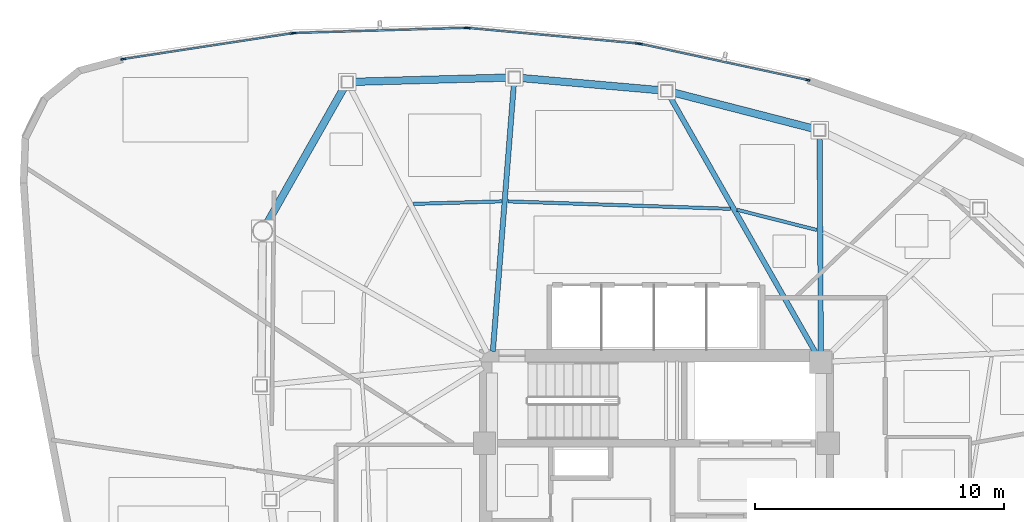
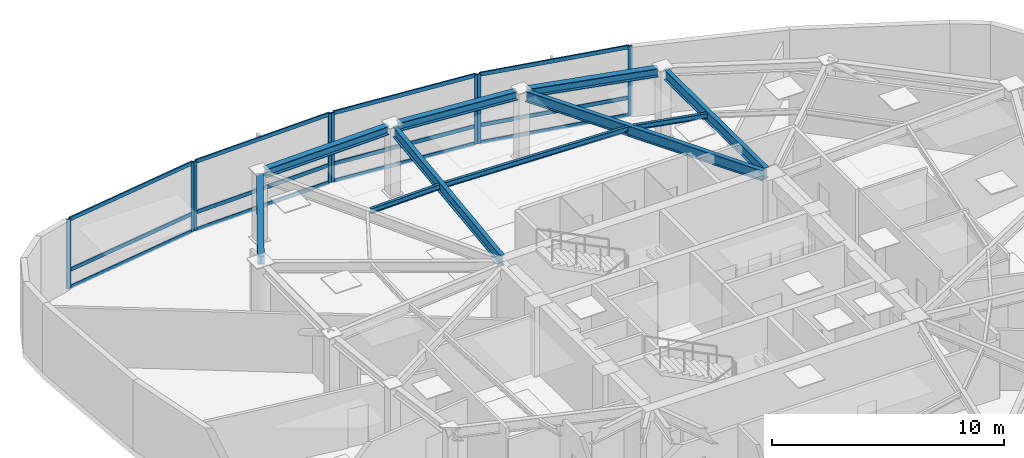
# One storey, part 6 of 14: 20 members, 10 beams, 4 elements without a shape of their own.
"""IFC4 building model written with IfcOpenShell, lengths in metres."""

from ifc_helpers import new_model, si_unit, direction, frame, origin, origin_2d, place, context, subcontext, project, spatial, hollow_rectangle, i_section, extrude, source, transform, mapped, material, layer, layer_set, material_profile, profile_set, type_object, type_shapes, element, aggregate, save


model = new_model("IFC4")

# Units and contexts
model_context = context("Model", 3, precision=1e-05, world=origin(), true_north=direction((0.0, 1.0)))
body_context = subcontext(model_context, "Body", "Model", "MODEL_VIEW")
ifc_project = project(units=[si_unit("LENGTHUNIT", "METRE"), si_unit("AREAUNIT", "SQUARE_METRE"), si_unit("VOLUMEUNIT", "CUBIC_METRE"), si_unit("PLANEANGLEUNIT", "RADIAN"), si_unit("MASSUNIT", "GRAM", prefix="KILO")], contexts=[model_context])

# Site, building, storey
site_placement = place(None, origin())
site = spatial("IfcSite", under=ifc_project, at=site_placement, CompositionType="ELEMENT")
building_placement = place(site_placement, origin())
building = spatial("IfcBuilding", under=site, at=building_placement, Name="Tavelor Broadcast Tower", CompositionType="ELEMENT")
storey_placement = place(building_placement, frame((0.0, 0.0, 257.699951171875)))
storey = spatial("IfcBuildingStorey", under=building, at=storey_placement, Name="L61", CompositionType="ELEMENT", Elevation=257.699951171875)

# Beams
ifc_material_1 = material(Name="Steel S355", Category="steel")
ifc_material_profile_1 = material_profile(ifc_material_1, i_section(OverallWidth=0.135009765625, OverallDepth=0.27001953125, WebThickness=0.006591796875, FlangeThickness=0.01025390625, at=origin_2d()), Name="IPE 270")
ifc_profile_set_1 = profile_set([ifc_material_profile_1], Name="Steel S355")
beam_type_1 = type_object("IfcBeamType", Name="Composite Floor Joist T6 IPE 270", PredefinedType="JOIST", material=ifc_profile_set_1)
beam_1_placement = place(storey_placement, frame((56.439208984375, 56.498779296875, 3.51513671875), z_axis=(-0.969346722977, 0.245696826706, 0.0), x_axis=(-0.245696826706, -0.969346722977, 0.0)))
element("IfcBeam", 1, at=beam_1_placement, inside=storey, type_object=beam_type_1, Name="L61 Secondary Composite Floor Joist 15", PredefinedType="JOIST", context=body_context, shape_type="SweptSolid", body=[
    extrude(i_section(OverallWidth=0.135009765625, OverallDepth=0.27001953125, WebThickness=0.006591796875, FlangeThickness=0.01025390625, at=origin_2d()), origin(), (0.0, 0.0, 1.0), 3.305908203125),
])
beam_2_placement = place(storey_placement, frame((52.970458984375, 57.348388671875, 3.51513671875), z_axis=(-0.999441322178, 0.033422201056, 0.0), x_axis=(-0.033422201056, -0.999441322178, 0.0)))
element("IfcBeam", 2, at=beam_2_placement, inside=storey, type_object=beam_type_1, Name="L61 Secondary Composite Floor Joist 16", PredefinedType="JOIST", context=body_context, shape_type="SweptSolid", body=[
    extrude(i_section(OverallWidth=0.135009765625, OverallDepth=0.27001953125, WebThickness=0.006591796875, FlangeThickness=0.01025390625, at=origin_2d()), origin(), (0.0, 0.0, 1.0), 8.93359375),
])
beam_3_placement = place(storey_placement, frame((43.773681640625, 57.647705078125, 3.51513671875), z_axis=(-0.999591520458, -0.028579577129, 0.0), x_axis=(0.028579577129, -0.999591520458, 0.0)))
element("IfcBeam", 3, at=beam_3_placement, inside=storey, type_object=beam_type_1, Name="L61 Secondary Composite Floor Joist 17", PredefinedType="JOIST", context=body_context, shape_type="SweptSolid", body=[
    extrude(i_section(OverallWidth=0.135009765625, OverallDepth=0.27001953125, WebThickness=0.006591796875, FlangeThickness=0.01025390625, at=origin_2d()), origin(), (0.0, 0.0, 1.0), 3.51953125),
])
ifc_material_profile_2 = material_profile(ifc_material_1, i_section(OverallWidth=0.300048828125, OverallDepth=0.449951171875, WebThickness=0.013916015625, FlangeThickness=0.02587890625, at=origin_2d()), Name="HEB 450")
ifc_profile_set_2 = profile_set([ifc_material_profile_2], Name="Steel S355")
beam_type_2 = type_object("IfcBeamType", Name="Perimeter Spandrel Beam T6 HEB 450", PredefinedType="SPANDREL", material=ifc_profile_set_2)
beam_4_placement = place(storey_placement, frame((56.313232421875, 60.56396484375, 3.425048828125), z_axis=(-0.968399822455, 0.249402854572, 0.0), x_axis=(-0.249402854572, -0.968399822455, 0.0)))
element("IfcBeam", 4, at=beam_4_placement, inside=storey, type_object=beam_type_2, Name="L61 Framed-Tube Ring Spandrel 15", PredefinedType="SPANDREL", context=body_context, shape_type="SweptSolid", body=[
    extrude(i_section(OverallWidth=0.300048828125, OverallDepth=0.449951171875, WebThickness=0.013916015625, FlangeThickness=0.02587890625, at=origin_2d()), origin(), (0.0, 0.0, 1.0), 5.858642578125),
])
beam_5_placement = place(storey_placement, frame((50.168212890625, 62.10595703125, 3.425048828125), z_axis=(-0.996167133993, 0.08747023009, 0.0), x_axis=(-0.08747023009, -0.996167133993, 0.0)))
element("IfcBeam", 5, at=beam_5_placement, inside=storey, type_object=beam_type_2, Name="L61 Framed-Tube Ring Spandrel 16", PredefinedType="SPANDREL", context=body_context, shape_type="SweptSolid", body=[
    extrude(i_section(OverallWidth=0.300048828125, OverallDepth=0.449951171875, WebThickness=0.013916015625, FlangeThickness=0.02587890625, at=origin_2d()), origin(), (0.0, 0.0, 1.0), 5.652099609375),
])
beam_6_placement = place(storey_placement, frame((44.058837890625, 62.61474609375, 3.425048828125), z_axis=(-0.99963121329, -0.027155798934, 0.0), x_axis=(0.027155798934, -0.99963121329, 0.0)))
element("IfcBeam", 6, at=beam_6_placement, inside=storey, type_object=beam_type_2, Name="L61 Framed-Tube Ring Spandrel 17", PredefinedType="SPANDREL", context=body_context, shape_type="SweptSolid", body=[
    extrude(i_section(OverallWidth=0.300048828125, OverallDepth=0.449951171875, WebThickness=0.013916015625, FlangeThickness=0.02587890625, at=origin_2d()), origin(), (0.0, 0.0, 1.0), 6.230224609375),
])
beam_7_placement = place(storey_placement, frame((37.472412109375, 62.23046875, 3.425048828125), z_axis=(-0.493720585512, -0.869620597411, 0.0), x_axis=(0.869620597411, -0.493720585512, 0.0)))
element("IfcBeam", 7, at=beam_7_placement, inside=storey, type_object=beam_type_2, Name="L61 Framed-Tube Ring Spandrel 18", PredefinedType="SPANDREL", context=body_context, shape_type="SweptSolid", body=[
    extrude(i_section(OverallWidth=0.300048828125, OverallDepth=0.449951171875, WebThickness=0.013916015625, FlangeThickness=0.02587890625, at=origin_2d()), origin(), (0.0, 0.0, 1.0), 6.245361328125),
])
ifc_material_profile_3 = material_profile(ifc_material_1, i_section(OverallWidth=0.2099609375, OverallDepth=0.550048828125, WebThickness=0.010986328125, FlangeThickness=0.01708984375, at=origin_2d()), Name="IPE 550")
ifc_profile_set_3 = profile_set([ifc_material_profile_3], Name="Steel S355")
beam_type_3 = type_object("IfcBeamType", Name="Radial Floor Girder T6 IPE 550", PredefinedType="BEAM", material=ifc_profile_set_3)
beam_8_placement = place(storey_placement, frame((56.597412109375, 51.632080078125, 3.375), z_axis=(-0.005826187281, 0.999983027627, 0.0), x_axis=(-0.999983027627, -0.005826187281, 0.0)))
element("IfcBeam", 8, at=beam_8_placement, inside=storey, type_object=beam_type_3, Name="L61 Radial Primary Floor Girder 15", PredefinedType="BEAM", context=body_context, shape_type="SweptSolid", body=[
    extrude(i_section(OverallWidth=0.2099609375, OverallDepth=0.550048828125, WebThickness=0.010986328125, FlangeThickness=0.01708984375, at=origin_2d()), origin(), (0.0, 0.0, 1.0), 8.63232421875),
])
beam_9_placement = place(storey_placement, frame((56.386474609375, 51.575439453125, 3.375), z_axis=(-0.49450305234, 0.869175891996, 0.0), x_axis=(-0.869175891996, -0.49450305234, 0.0)))
element("IfcBeam", 9, at=beam_9_placement, inside=storey, type_object=beam_type_3, Name="L61 Radial Primary Floor Girder 16", PredefinedType="BEAM", context=body_context, shape_type="SweptSolid", body=[
    extrude(i_section(OverallWidth=0.2099609375, OverallDepth=0.550048828125, WebThickness=0.010986328125, FlangeThickness=0.01708984375, at=origin_2d()), origin(), (0.0, 0.0, 1.0), 11.8515625),
])
beam_10_placement = place(storey_placement, frame((43.433837890625, 51.630615234375, 3.375), z_axis=(0.078462115784, 0.996917096045, 0.0), x_axis=(-0.996917096045, 0.078462115784, 0.0)))
element("IfcBeam", 10, at=beam_10_placement, inside=storey, type_object=beam_type_3, Name="L61 Radial Primary Floor Girder 17", PredefinedType="BEAM", context=body_context, shape_type="SweptSolid", body=[
    extrude(i_section(OverallWidth=0.2099609375, OverallDepth=0.550048828125, WebThickness=0.010986328125, FlangeThickness=0.01708984375, at=origin_2d()), origin(), (0.0, 0.0, 1.0), 10.78466796875),
])

# Curtain wall, members
ifc_material_2 = material(Name="Architectural Anodized Aluminium", Category="aluminium")
ifc_layer = layer(ifc_material_2, 0.199951171875)
ifc_layer_set = layer_set([ifc_layer], Name="Architectural Anodized Aluminium")
curtain_wall_type = type_object("IfcCurtainWallType", Name="Tower High-Zone Triple-Glazed Curtain Wall CW04", PredefinedType="NOTDEFINED", material=ifc_layer_set)
curtain_wall_1_placement = place(storey_placement, origin())
curtain_wall_1 = element("IfcCurtainWall", 11, at=curtain_wall_1_placement, inside=storey, type_object=curtain_wall_type, Name="L61 Curtain Wall CW04 Run 669", PredefinedType="NOTDEFINED")
ifc_material_profile_4 = material_profile(ifc_material_2, hollow_rectangle(XDim=0.070068359375, YDim=0.199951171875, WallThickness=0.02197265625, at=origin_2d()), Name="RHS 70x200x22")
ifc_profile_set_4 = profile_set([ifc_material_profile_4], Name="Architectural Anodized Aluminium")
member_type_1 = type_object("IfcMemberType", Name="CW04 Extruded Aluminium Mullion 70x200", PredefinedType="MULLION", material=ifc_profile_set_4)
shared_shape_1 = source(origin(), body_context, "Body", "SweptSolid", [
    extrude(hollow_rectangle(XDim=0.070068359375, YDim=0.199951171875, WallThickness=0.02197265625, at=origin_2d()), origin(), (0.0, 0.0, 1.0), 3.650146484375),
])
type_shapes(member_type_1, [shared_shape_1])
member_1_placement = place(storey_placement, frame((56.062744140625, 62.5185546875, 0.0), z_axis=(0.0, 0.0, 1.0), x_axis=(-0.210919469631, -0.977503441084, 0.0)))
member_1 = element("IfcMember", 12, at=member_1_placement, type_object=member_type_1, Name="CW04 mullion 1", PredefinedType="MULLION", context=body_context, shape_type="MappedRepresentation", body=[
    mapped(shared_shape_1, transform((0.0, 0.0, 0.0), scale=1.0)),
])
member_2_placement = place(storey_placement, frame((49.352783203125, 63.96630859375, 0.0), z_axis=(0.0, 0.0, 1.0), x_axis=(-0.210919469631, -0.977503441084, 0.0)))
member_2 = element("IfcMember", 13, at=member_2_placement, type_object=member_type_1, Name="CW04 mullion 2", PredefinedType="MULLION", context=body_context, shape_type="MappedRepresentation", body=[
    mapped(shared_shape_1, transform((0.0, 0.0, 0.0), scale=1.0)),
])

curtain_wall_2_placement = place(storey_placement, origin())
curtain_wall_2 = element("IfcCurtainWall", 14, at=curtain_wall_2_placement, inside=storey, type_object=curtain_wall_type, Name="L61 Curtain Wall CW04 Run 670", PredefinedType="NOTDEFINED")
member_3_placement = place(storey_placement, frame((49.254150390625, 63.9814453125, 0.0), z_axis=(0.0, 0.0, 1.0), x_axis=(-0.091050454511, -0.995846280675, 0.0)))
member_3 = element("IfcMember", 15, at=member_3_placement, type_object=member_type_1, Name="CW04 mullion 1", PredefinedType="MULLION", context=body_context, shape_type="MappedRepresentation", body=[
    mapped(shared_shape_1, transform((0.0, 0.0, 0.0), scale=1.0)),
])
member_4_placement = place(storey_placement, frame((42.433349609375, 64.605224609375, 0.0), z_axis=(0.0, 0.0, 1.0), x_axis=(-0.091050454511, -0.995846280675, 0.0)))
member_4 = element("IfcMember", 16, at=member_4_placement, type_object=member_type_1, Name="CW04 mullion 2", PredefinedType="MULLION", context=body_context, shape_type="MappedRepresentation", body=[
    mapped(shared_shape_1, transform((0.0, 0.0, 0.0), scale=1.0)),
])

curtain_wall_3_placement = place(storey_placement, origin())
curtain_wall_3 = element("IfcCurtainWall", 17, at=curtain_wall_3_placement, inside=storey, type_object=curtain_wall_type, Name="L61 Curtain Wall CW04 Run 671", PredefinedType="NOTDEFINED")
member_5_placement = place(storey_placement, frame((42.33349609375, 64.608154296875, 0.0), z_axis=(0.0, 0.0, 1.0), x_axis=(0.030118483615, -0.999546335567, 0.0)))
member_5 = element("IfcMember", 18, at=member_5_placement, type_object=member_type_1, Name="CW04 mullion 1", PredefinedType="MULLION", context=body_context, shape_type="MappedRepresentation", body=[
    mapped(shared_shape_1, transform((0.0, 0.0, 0.0), scale=1.0)),
])
member_6_placement = place(storey_placement, frame((35.4873046875, 64.40185546875, 0.0), z_axis=(0.0, 0.0, 1.0), x_axis=(0.030118483615, -0.999546335567, 0.0)))
member_6 = element("IfcMember", 19, at=member_6_placement, type_object=member_type_1, Name="CW04 mullion 2", PredefinedType="MULLION", context=body_context, shape_type="MappedRepresentation", body=[
    mapped(shared_shape_1, transform((0.0, 0.0, 0.0), scale=1.0)),
])

curtain_wall_4_placement = place(storey_placement, origin())
curtain_wall_4 = element("IfcCurtainWall", 20, at=curtain_wall_4_placement, inside=storey, type_object=curtain_wall_type, Name="L61 Curtain Wall CW04 Run 672", PredefinedType="NOTDEFINED")
member_7_placement = place(storey_placement, frame((35.3876953125, 64.392822265625, 0.0), z_axis=(0.0, 0.0, 1.0), x_axis=(0.150852204632, -0.988556327357, 0.0)))
member_7 = element("IfcMember", 21, at=member_7_placement, type_object=member_type_1, Name="CW04 mullion 1", PredefinedType="MULLION", context=body_context, shape_type="MappedRepresentation", body=[
    mapped(shared_shape_1, transform((0.0, 0.0, 0.0), scale=1.0)),
])
member_8_placement = place(storey_placement, frame((28.60107421875, 63.357177734375, 0.0), z_axis=(0.0, 0.0, 1.0), x_axis=(0.150852204632, -0.988556327357, 0.0)))
member_8 = element("IfcMember", 22, at=member_8_placement, type_object=member_type_1, Name="CW04 mullion 2", PredefinedType="MULLION", context=body_context, shape_type="MappedRepresentation", body=[
    mapped(shared_shape_1, transform((0.0, 0.0, 0.0), scale=1.0)),
])

# Member
ifc_material_profile_5 = material_profile(ifc_material_2, hollow_rectangle(XDim=0.070068359375, YDim=0.199951171875, WallThickness=0.02197265625, at=origin_2d()), Name="RHS 70x200x22")
ifc_profile_set_5 = profile_set([ifc_material_profile_5], Name="Architectural Anodized Aluminium")
member_type_2 = type_object("IfcMemberType", Name="CW04 Extruded Aluminium Transom 70x200", PredefinedType="USERDEFINED", material=ifc_profile_set_5)
shared_shape_2 = source(origin(), body_context, "Body", "SweptSolid", [
    extrude(hollow_rectangle(XDim=0.070068359375, YDim=0.199951171875, WallThickness=0.02197265625, at=origin_2d()), origin(), (0.0, 0.0, 1.0), 6.79443359375),
])
member_9_placement = place(storey_placement, frame((56.028564453125, 62.52587890625, 0.03515625), z_axis=(-0.977502744226, 0.210922699184, 0.0), x_axis=(-0.210922699184, -0.977502744226, 0.0)))
member_9 = element("IfcMember", 23, at=member_9_placement, type_object=member_type_2, Name="CW04 transom 1.1", ObjectType="TRANSOM", PredefinedType="USERDEFINED", context=body_context, shape_type="MappedRepresentation", body=[
    mapped(shared_shape_2, transform((0.0, 0.0, 0.0), scale=1.0)),
])

member_10_placement = place(storey_placement, frame((56.028564453125, 62.52587890625, 0.949951171875), z_axis=(-0.977502744226, 0.210922699184, 0.0), x_axis=(-0.210922699184, -0.977502744226, 0.0)))
member_10 = element("IfcMember", 24, at=member_10_placement, type_object=member_type_2, Name="CW04 transom 1.2", ObjectType="TRANSOM", PredefinedType="USERDEFINED", context=body_context, shape_type="MappedRepresentation", body=[
    mapped(shared_shape_2, transform((0.0, 0.0, 0.0), scale=1.0)),
])

member_11_placement = place(storey_placement, frame((56.028564453125, 62.52587890625, 3.614990234375), z_axis=(-0.977502744226, 0.210922699184, 0.0), x_axis=(-0.210922699184, -0.977502744226, 0.0)))
member_11 = element("IfcMember", 25, at=member_11_placement, type_object=member_type_2, Name="CW04 transom 1.3", ObjectType="TRANSOM", PredefinedType="USERDEFINED", context=body_context, shape_type="MappedRepresentation", body=[
    mapped(shared_shape_2, transform((0.0, 0.0, 0.0), scale=1.0)),
])

aggregate(curtain_wall_1, [member_1, member_2, member_9, member_10, member_11])

shared_shape_3 = source(origin(), body_context, "Body", "SweptSolid", [
    extrude(hollow_rectangle(XDim=0.070068359375, YDim=0.199951171875, WallThickness=0.02197265625, at=origin_2d()), origin(), (0.0, 0.0, 1.0), 6.779296875),
])
member_12_placement = place(storey_placement, frame((49.21923828125, 63.984619140625, 0.03515625), z_axis=(-0.995847326002, 0.091039020726, 0.0), x_axis=(-0.091039020726, -0.995847326002, 0.0)))
member_12 = element("IfcMember", 26, at=member_12_placement, type_object=member_type_2, Name="CW04 transom 1.1", ObjectType="TRANSOM", PredefinedType="USERDEFINED", context=body_context, shape_type="MappedRepresentation", body=[
    mapped(shared_shape_3, transform((0.0, 0.0, 0.0), scale=1.0)),
])

member_13_placement = place(storey_placement, frame((49.21923828125, 63.984619140625, 0.949951171875), z_axis=(-0.995847326002, 0.091039020726, 0.0), x_axis=(-0.091039020726, -0.995847326002, 0.0)))
member_13 = element("IfcMember", 27, at=member_13_placement, type_object=member_type_2, Name="CW04 transom 1.2", ObjectType="TRANSOM", PredefinedType="USERDEFINED", context=body_context, shape_type="MappedRepresentation", body=[
    mapped(shared_shape_3, transform((0.0, 0.0, 0.0), scale=1.0)),
])

member_14_placement = place(storey_placement, frame((49.21923828125, 63.984619140625, 3.614990234375), z_axis=(-0.995847326002, 0.091039020726, 0.0), x_axis=(-0.091039020726, -0.995847326002, 0.0)))
member_14 = element("IfcMember", 28, at=member_14_placement, type_object=member_type_2, Name="CW04 transom 1.3", ObjectType="TRANSOM", PredefinedType="USERDEFINED", context=body_context, shape_type="MappedRepresentation", body=[
    mapped(shared_shape_3, transform((0.0, 0.0, 0.0), scale=1.0)),
])

aggregate(curtain_wall_2, [member_3, member_4, member_12, member_13, member_14])

member_15_placement = place(storey_placement, frame((42.29833984375, 64.607177734375, 0.03515625), z_axis=(-0.999546680181, -0.030107044663, 0.0), x_axis=(0.030107044663, -0.999546680181, 0.0)))
member_15 = element("IfcMember", 29, at=member_15_placement, type_object=member_type_2, Name="CW04 transom 1.1", ObjectType="TRANSOM", PredefinedType="USERDEFINED", context=body_context, shape_type="MappedRepresentation", body=[
    mapped(shared_shape_3, transform((0.0, 0.0, 0.0), scale=1.0)),
])

member_16_placement = place(storey_placement, frame((42.29833984375, 64.607177734375, 0.949951171875), z_axis=(-0.999546680181, -0.030107044663, 0.0), x_axis=(0.030107044663, -0.999546680181, 0.0)))
member_16 = element("IfcMember", 30, at=member_16_placement, type_object=member_type_2, Name="CW04 transom 1.2", ObjectType="TRANSOM", PredefinedType="USERDEFINED", context=body_context, shape_type="MappedRepresentation", body=[
    mapped(shared_shape_3, transform((0.0, 0.0, 0.0), scale=1.0)),
])

member_17_placement = place(storey_placement, frame((42.29833984375, 64.607177734375, 3.614990234375), z_axis=(-0.999546680181, -0.030107044663, 0.0), x_axis=(0.030107044663, -0.999546680181, 0.0)))
member_17 = element("IfcMember", 31, at=member_17_placement, type_object=member_type_2, Name="CW04 transom 1.3", ObjectType="TRANSOM", PredefinedType="USERDEFINED", context=body_context, shape_type="MappedRepresentation", body=[
    mapped(shared_shape_3, transform((0.0, 0.0, 0.0), scale=1.0)),
])

aggregate(curtain_wall_3, [member_5, member_6, member_15, member_16, member_17])

shared_shape_4 = source(origin(), body_context, "Body", "SweptSolid", [
    extrude(hollow_rectangle(XDim=0.070068359375, YDim=0.199951171875, WallThickness=0.02197265625, at=origin_2d()), origin(), (0.0, 0.0, 1.0), 6.79541015625),
])
type_shapes(member_type_2, [shared_shape_2, shared_shape_3, shared_shape_4])
member_18_placement = place(storey_placement, frame((35.353271484375, 64.3876953125, 0.03515625), z_axis=(-0.988554974492, -0.150861069885, 0.0), x_axis=(0.150861069885, -0.988554974492, 0.0)))
member_18 = element("IfcMember", 32, at=member_18_placement, type_object=member_type_2, Name="CW04 transom 1.1", ObjectType="TRANSOM", PredefinedType="USERDEFINED", context=body_context, shape_type="MappedRepresentation", body=[
    mapped(shared_shape_4, transform((0.0, 0.0, 0.0), scale=1.0)),
])

member_19_placement = place(storey_placement, frame((35.353271484375, 64.3876953125, 0.949951171875), z_axis=(-0.988554974492, -0.150861069885, 0.0), x_axis=(0.150861069885, -0.988554974492, 0.0)))
member_19 = element("IfcMember", 33, at=member_19_placement, type_object=member_type_2, Name="CW04 transom 1.2", ObjectType="TRANSOM", PredefinedType="USERDEFINED", context=body_context, shape_type="MappedRepresentation", body=[
    mapped(shared_shape_4, transform((0.0, 0.0, 0.0), scale=1.0)),
])

member_20_placement = place(storey_placement, frame((35.353271484375, 64.3876953125, 3.614990234375), z_axis=(-0.988554974492, -0.150861069885, 0.0), x_axis=(0.150861069885, -0.988554974492, 0.0)))
member_20 = element("IfcMember", 34, at=member_20_placement, type_object=member_type_2, Name="CW04 transom 1.3", ObjectType="TRANSOM", PredefinedType="USERDEFINED", context=body_context, shape_type="MappedRepresentation", body=[
    mapped(shared_shape_4, transform((0.0, 0.0, 0.0), scale=1.0)),
])

aggregate(curtain_wall_4, [member_7, member_8, member_18, member_19, member_20])

save(model, "model.ifc")
